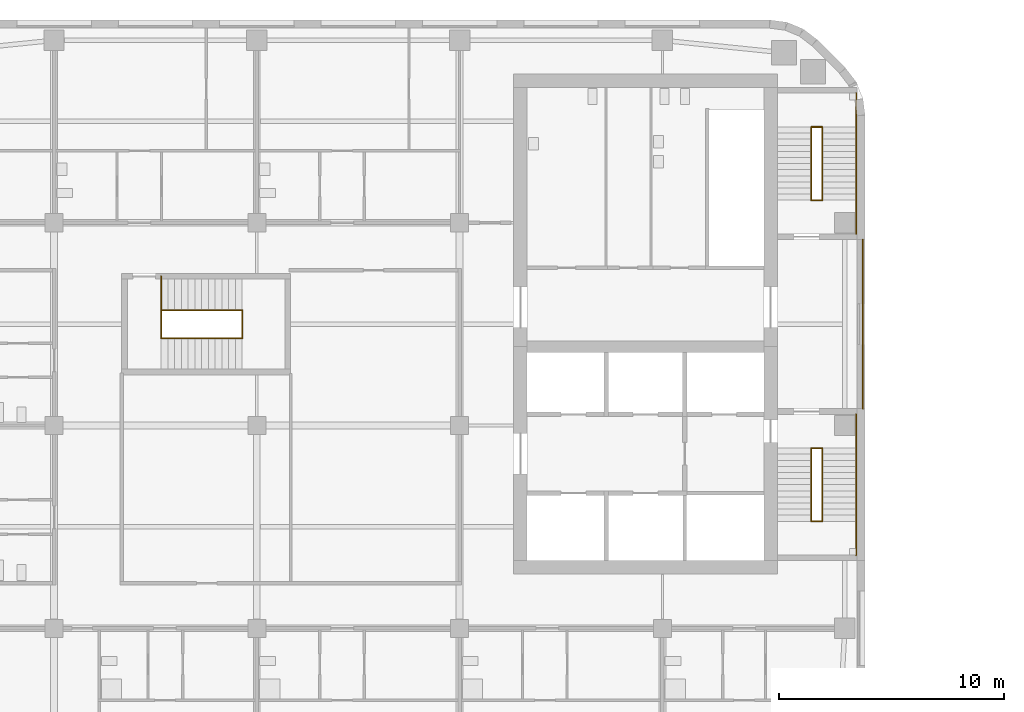
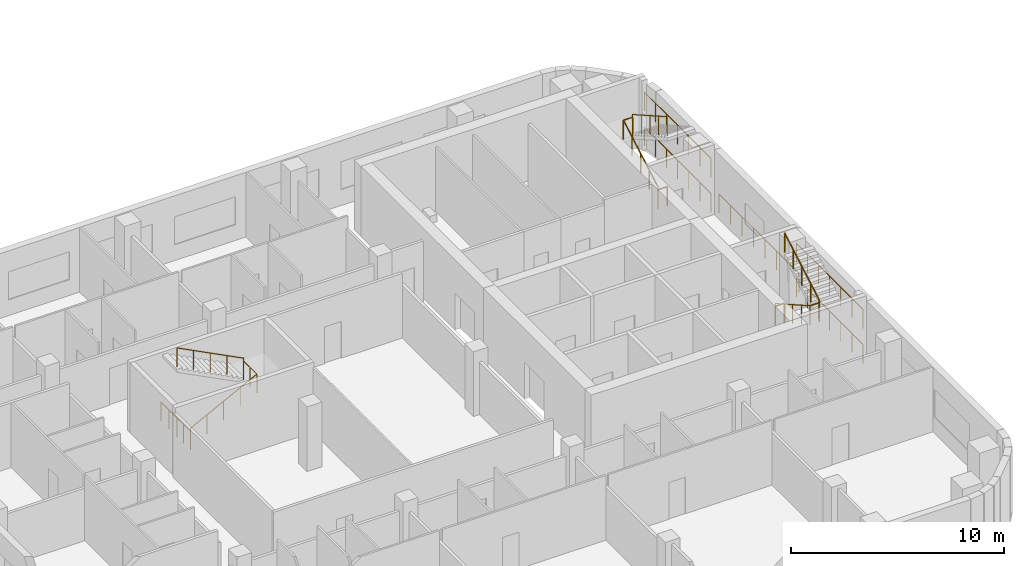
# One storey, part 14 of 16: 18 railings.
"""IFC4 building model written with IfcOpenShell, lengths in metres."""

from ifc_helpers import new_model, si_unit, direction, frame, origin, origin_2d, place, context, subcontext, project, spatial, circle, extrude, material, type_object, element, save


model = new_model("IFC4")

# Units and contexts
model_context = context("Model", 3, precision=1e-05, world=origin(), true_north=direction((0.0, 1.0)))
body_context = subcontext(model_context, "Body", "Model", "MODEL_VIEW")
ifc_project = project(units=[si_unit("LENGTHUNIT", "METRE"), si_unit("AREAUNIT", "SQUARE_METRE"), si_unit("VOLUMEUNIT", "CUBIC_METRE"), si_unit("PLANEANGLEUNIT", "RADIAN"), si_unit("MASSUNIT", "GRAM", prefix="KILO")], contexts=[model_context])

# Site, building, storey
site_placement = place(None, origin())
site = spatial("IfcSite", under=ifc_project, at=site_placement, CompositionType="ELEMENT")
building_placement = place(site_placement, origin())
building = spatial("IfcBuilding", under=site, at=building_placement, Name="Cinnabar Reach Civic Tower", CompositionType="ELEMENT")
storey_placement = place(building_placement, frame((0.0, 0.0, 42.0)))
storey = spatial("IfcBuildingStorey", under=building, at=storey_placement, Name="L09", CompositionType="ELEMENT", Elevation=42.0)

# Railings
ifc_material = material(Name="Stainless steel", Category="steel")
railing_type = type_object("IfcRailingType", Name="T2 Stair guard 1100", PredefinedType="GUARDRAIL", material=ifc_material)
railing_1_placement = place(storey_placement, frame((-27.1, 27.75, 0.0)))
element("IfcRailing", 1, at=railing_1_placement, inside=storey, type_object=railing_type, Name="Corridor end guard", PredefinedType="GUARDRAIL", context=body_context, shape_type="SweptSolid", body=[
    extrude(circle(Radius=0.024, at=origin_2d()), frame((0.0, 0.0, 1.076), z_axis=(0.0, 1.0, 0.0), x_axis=(-1.0, 0.0, 0.0)), (0.0, 0.0, 1.0), 7.5),
    extrude(circle(Radius=0.021, at=origin_2d()), origin(), (0.0, 0.0, 1.0), 1.052),
    extrude(circle(Radius=0.021, at=origin_2d()), frame((0.0, 1.0714, 0.0)), (0.0, 0.0, 1.0), 1.052),
    extrude(circle(Radius=0.021, at=origin_2d()), frame((0.0, 2.1429, 0.0)), (0.0, 0.0, 1.0), 1.052),
    extrude(circle(Radius=0.021, at=origin_2d()), frame((0.0, 3.2143, 0.0)), (0.0, 0.0, 1.0), 1.052),
    extrude(circle(Radius=0.021, at=origin_2d()), frame((0.0, 4.2857, 0.0)), (0.0, 0.0, 1.0), 1.052),
    extrude(circle(Radius=0.021, at=origin_2d()), frame((0.0, 5.3571, 0.0)), (0.0, 0.0, 1.0), 1.052),
    extrude(circle(Radius=0.021, at=origin_2d()), frame((0.0, 6.4286, 0.0)), (0.0, 0.0, 1.0), 1.052),
    extrude(circle(Radius=0.021, at=origin_2d()), frame((0.0, 7.5, 0.0)), (0.0, 0.0, 1.0), 1.052),
])
for number, where, name in (
    (2, (-27.4, 21.25, 0.0), "Stair guard 1"),
    (3, (-27.4, 21.25, 2.0), "Stair guard 1"),
):
    element("IfcRailing", number, at=place(storey_placement, frame(where)), inside=storey, type_object=railing_type, Name=name, PredefinedType="GUARDRAIL", context=body_context, shape_type="SweptSolid", body=[
        extrude(circle(Radius=0.024, at=origin_2d()), frame((0.0, 0.0, 1.076), z_axis=(0.0, 1.0, 0.0), x_axis=(-1.0, 0.0, 0.0)), (0.0, 0.0, 1.0), 6.25),
        extrude(circle(Radius=0.021, at=origin_2d()), origin(), (0.0, 0.0, 1.0), 1.052),
        extrude(circle(Radius=0.021, at=origin_2d()), frame((0.0, 1.0417, 0.0)), (0.0, 0.0, 1.0), 1.052),
        extrude(circle(Radius=0.021, at=origin_2d()), frame((0.0, 2.0833, 0.0)), (0.0, 0.0, 1.0), 1.052),
        extrude(circle(Radius=0.021, at=origin_2d()), frame((0.0, 3.125, 0.0)), (0.0, 0.0, 1.0), 1.052),
        extrude(circle(Radius=0.021, at=origin_2d()), frame((0.0, 4.1667, 0.0)), (0.0, 0.0, 1.0), 1.052),
        extrude(circle(Radius=0.021, at=origin_2d()), frame((0.0, 5.2083, 0.0)), (0.0, 0.0, 1.0), 1.052),
        extrude(circle(Radius=0.021, at=origin_2d()), frame((0.0, 6.25, 0.0)), (0.0, 0.0, 1.0), 1.052),
    ])
for number, where, name in (
    (4, (-29.4, 26.0, 0.0), "Stair guard 1"),
    (5, (-29.4, 22.75, 2.0), "Stair guard 1"),
):
    element("IfcRailing", number, at=place(storey_placement, frame(where)), inside=storey, type_object=railing_type, Name=name, PredefinedType="GUARDRAIL", context=body_context, shape_type="SweptSolid", body=[
        extrude(circle(Radius=0.024, at=origin_2d()), frame((0.0, 0.0, 1.076), z_axis=(1.0, 0.0, 0.0), x_axis=(0.0, 1.0, 0.0)), (0.0, 0.0, 1.0), 0.5),
        extrude(circle(Radius=0.021, at=origin_2d()), origin(), (0.0, 0.0, 1.0), 1.052),
        extrude(circle(Radius=0.021, at=origin_2d()), frame((0.5, 0.0, 0.0)), (0.0, 0.0, 1.0), 1.052),
    ])
railing_2_placement = place(storey_placement, frame((-29.4, 26.0, 0.1538)))
element("IfcRailing", 6, at=railing_2_placement, inside=storey, type_object=railing_type, Name="Stair guard 1", PredefinedType="GUARDRAIL", context=body_context, shape_type="SweptSolid", body=[
    extrude(circle(Radius=0.024, at=origin_2d()), frame((0.0, 0.0, 1.076), z_axis=(0.0, -0.869501474428, 0.493930345258), x_axis=(1.0, 0.0, 0.0)), (0.0, 0.0, 1.0), 3.7378),
    extrude(circle(Radius=0.021, at=origin_2d()), origin(), (0.0, 0.0, 1.0), 1.052),
    extrude(circle(Radius=0.021, at=origin_2d()), frame((0.0, -0.8125, 0.4616)), (0.0, 0.0, 1.0), 1.052),
    extrude(circle(Radius=0.021, at=origin_2d()), frame((0.0, -1.625, 0.9231)), (0.0, 0.0, 1.0), 1.052),
    extrude(circle(Radius=0.021, at=origin_2d()), frame((0.0, -2.4375, 1.3847)), (0.0, 0.0, 1.0), 1.052),
    extrude(circle(Radius=0.021, at=origin_2d()), frame((0.0, -3.25, 1.8462)), (0.0, 0.0, 1.0), 1.052),
])
railing_3_placement = place(storey_placement, frame((-28.9, 22.75, 2.1538)))
element("IfcRailing", 7, at=railing_3_placement, inside=storey, type_object=railing_type, Name="Stair guard 1", PredefinedType="GUARDRAIL", context=body_context, shape_type="SweptSolid", body=[
    extrude(circle(Radius=0.024, at=origin_2d()), frame((0.0, 0.0, 1.076), z_axis=(0.0, 0.869501474428, 0.493930345258), x_axis=(-1.0, 0.0, 0.0)), (0.0, 0.0, 1.0), 3.7378),
    extrude(circle(Radius=0.021, at=origin_2d()), origin(), (0.0, 0.0, 1.0), 1.052),
    extrude(circle(Radius=0.021, at=origin_2d()), frame((0.0, 0.8125, 0.4616)), (0.0, 0.0, 1.0), 1.052),
    extrude(circle(Radius=0.021, at=origin_2d()), frame((0.0, 1.625, 0.9231)), (0.0, 0.0, 1.0), 1.052),
    extrude(circle(Radius=0.021, at=origin_2d()), frame((0.0, 2.4375, 1.3847)), (0.0, 0.0, 1.0), 1.052),
    extrude(circle(Radius=0.021, at=origin_2d()), frame((0.0, 3.25, 1.8462)), (0.0, 0.0, 1.0), 1.052),
])
for number, where, name in (
    (8, (-27.4, 35.5, 0.0), "Stair guard 2"),
    (9, (-27.4, 35.5, 2.0), "Stair guard 2"),
):
    element("IfcRailing", number, at=place(storey_placement, frame(where)), inside=storey, type_object=railing_type, Name=name, PredefinedType="GUARDRAIL", context=body_context, shape_type="SweptSolid", body=[
        extrude(circle(Radius=0.024, at=origin_2d()), frame((0.0, 0.0, 1.076), z_axis=(0.0, 1.0, 0.0), x_axis=(-1.0, 0.0, 0.0)), (0.0, 0.0, 1.0), 6.25),
        extrude(circle(Radius=0.021, at=origin_2d()), origin(), (0.0, 0.0, 1.0), 1.052),
        extrude(circle(Radius=0.021, at=origin_2d()), frame((0.0, 1.0417, 0.0)), (0.0, 0.0, 1.0), 1.052),
        extrude(circle(Radius=0.021, at=origin_2d()), frame((0.0, 2.0833, 0.0)), (0.0, 0.0, 1.0), 1.052),
        extrude(circle(Radius=0.021, at=origin_2d()), frame((0.0, 3.125, 0.0)), (0.0, 0.0, 1.0), 1.052),
        extrude(circle(Radius=0.021, at=origin_2d()), frame((0.0, 4.1667, 0.0)), (0.0, 0.0, 1.0), 1.052),
        extrude(circle(Radius=0.021, at=origin_2d()), frame((0.0, 5.2083, 0.0)), (0.0, 0.0, 1.0), 1.052),
        extrude(circle(Radius=0.021, at=origin_2d()), frame((0.0, 6.25, 0.0)), (0.0, 0.0, 1.0), 1.052),
    ])
for number, where, name in (
    (10, (-29.4, 37.0, 0.0), "Stair guard 2"),
    (11, (-29.4, 40.25, 2.0), "Stair guard 2"),
):
    element("IfcRailing", number, at=place(storey_placement, frame(where)), inside=storey, type_object=railing_type, Name=name, PredefinedType="GUARDRAIL", context=body_context, shape_type="SweptSolid", body=[
        extrude(circle(Radius=0.024, at=origin_2d()), frame((0.0, 0.0, 1.076), z_axis=(1.0, 0.0, 0.0), x_axis=(0.0, 1.0, 0.0)), (0.0, 0.0, 1.0), 0.5),
        extrude(circle(Radius=0.021, at=origin_2d()), origin(), (0.0, 0.0, 1.0), 1.052),
        extrude(circle(Radius=0.021, at=origin_2d()), frame((0.5, 0.0, 0.0)), (0.0, 0.0, 1.0), 1.052),
    ])
railing_4_placement = place(storey_placement, frame((-29.4, 37.0, 0.1538)))
element("IfcRailing", 12, at=railing_4_placement, inside=storey, type_object=railing_type, Name="Stair guard 2", PredefinedType="GUARDRAIL", context=body_context, shape_type="SweptSolid", body=[
    extrude(circle(Radius=0.024, at=origin_2d()), frame((0.0, 0.0, 1.076), z_axis=(0.0, 0.869501474428, 0.493930345258), x_axis=(-1.0, 0.0, 0.0)), (0.0, 0.0, 1.0), 3.7378),
    extrude(circle(Radius=0.021, at=origin_2d()), origin(), (0.0, 0.0, 1.0), 1.052),
    extrude(circle(Radius=0.021, at=origin_2d()), frame((0.0, 0.8125, 0.4616)), (0.0, 0.0, 1.0), 1.052),
    extrude(circle(Radius=0.021, at=origin_2d()), frame((0.0, 1.625, 0.9231)), (0.0, 0.0, 1.0), 1.052),
    extrude(circle(Radius=0.021, at=origin_2d()), frame((0.0, 2.4375, 1.3847)), (0.0, 0.0, 1.0), 1.052),
    extrude(circle(Radius=0.021, at=origin_2d()), frame((0.0, 3.25, 1.8462)), (0.0, 0.0, 1.0), 1.052),
])
railing_5_placement = place(storey_placement, frame((-28.9, 40.25, 2.1538)))
element("IfcRailing", 13, at=railing_5_placement, inside=storey, type_object=railing_type, Name="Stair guard 2", PredefinedType="GUARDRAIL", context=body_context, shape_type="SweptSolid", body=[
    extrude(circle(Radius=0.024, at=origin_2d()), frame((0.0, 0.0, 1.076), z_axis=(0.0, -0.869501474428, 0.493930345258), x_axis=(1.0, 0.0, 0.0)), (0.0, 0.0, 1.0), 3.7378),
    extrude(circle(Radius=0.021, at=origin_2d()), origin(), (0.0, 0.0, 1.0), 1.052),
    extrude(circle(Radius=0.021, at=origin_2d()), frame((0.0, -0.8125, 0.4616)), (0.0, 0.0, 1.0), 1.052),
    extrude(circle(Radius=0.021, at=origin_2d()), frame((0.0, -1.625, 0.9231)), (0.0, 0.0, 1.0), 1.052),
    extrude(circle(Radius=0.021, at=origin_2d()), frame((0.0, -2.4375, 1.3847)), (0.0, 0.0, 1.0), 1.052),
    extrude(circle(Radius=0.021, at=origin_2d()), frame((0.0, -3.25, 1.8462)), (0.0, 0.0, 1.0), 1.052),
])
railing_6_placement = place(storey_placement, frame((-58.25, 30.875, 0.0)))
element("IfcRailing", 14, at=railing_6_placement, inside=storey, type_object=railing_type, Name="Stair guard 3", PredefinedType="GUARDRAIL", context=body_context, shape_type="SweptSolid", body=[
    extrude(circle(Radius=0.024, at=origin_2d()), frame((0.0, 0.0, 1.076), z_axis=(0.0, 1.0, 0.0), x_axis=(-1.0, 0.0, 0.0)), (0.0, 0.0, 1.0), 1.25),
    extrude(circle(Radius=0.021, at=origin_2d()), origin(), (0.0, 0.0, 1.0), 1.052),
    extrude(circle(Radius=0.021, at=origin_2d()), frame((0.0, 0.625, 0.0)), (0.0, 0.0, 1.0), 1.052),
    extrude(circle(Radius=0.021, at=origin_2d()), frame((0.0, 1.25, 0.0)), (0.0, 0.0, 1.0), 1.052),
])
railing_7_placement = place(storey_placement, frame((-58.25, 32.125, 0.0)))
element("IfcRailing", 15, at=railing_7_placement, inside=storey, type_object=railing_type, Name="Stair guard 3", PredefinedType="GUARDRAIL", context=body_context, shape_type="SweptSolid", body=[
    extrude(circle(Radius=0.024, at=origin_2d()), frame((0.0, 0.0, 1.076), z_axis=(0.0, 1.0, 0.0), x_axis=(-1.0, 0.0, 0.0)), (0.0, 0.0, 1.0), 1.5),
    extrude(circle(Radius=0.021, at=origin_2d()), origin(), (0.0, 0.0, 1.0), 1.052),
    extrude(circle(Radius=0.021, at=origin_2d()), frame((0.0, 0.75, 0.0)), (0.0, 0.0, 1.0), 1.052),
    extrude(circle(Radius=0.021, at=origin_2d()), frame((0.0, 1.5, 0.0)), (0.0, 0.0, 1.0), 1.052),
])
railing_8_placement = place(storey_placement, frame((-54.65, 30.875, 2.0)))
element("IfcRailing", 16, at=railing_8_placement, inside=storey, type_object=railing_type, Name="Stair guard 3", PredefinedType="GUARDRAIL", context=body_context, shape_type="SweptSolid", body=[
    extrude(circle(Radius=0.024, at=origin_2d()), frame((0.0, 0.0, 1.076), z_axis=(0.0, 1.0, 0.0), x_axis=(-1.0, 0.0, 0.0)), (0.0, 0.0, 1.0), 1.25),
    extrude(circle(Radius=0.021, at=origin_2d()), origin(), (0.0, 0.0, 1.0), 1.052),
    extrude(circle(Radius=0.021, at=origin_2d()), frame((0.0, 0.625, 0.0)), (0.0, 0.0, 1.0), 1.052),
    extrude(circle(Radius=0.021, at=origin_2d()), frame((0.0, 1.25, 0.0)), (0.0, 0.0, 1.0), 1.052),
])
railing_9_placement = place(storey_placement, frame((-58.25, 30.875, 0.1538)))
element("IfcRailing", 17, at=railing_9_placement, inside=storey, type_object=railing_type, Name="Stair guard 3", PredefinedType="GUARDRAIL", context=body_context, shape_type="SweptSolid", body=[
    extrude(circle(Radius=0.024, at=origin_2d()), frame((0.0, 0.0, 1.076), z_axis=(0.889812830738, 0.0, 0.45632568003), x_axis=(0.0, 1.0, 0.0)), (0.0, 0.0, 1.0), 4.0458),
    extrude(circle(Radius=0.021, at=origin_2d()), origin(), (0.0, 0.0, 1.0), 1.052),
    extrude(circle(Radius=0.021, at=origin_2d()), frame((0.9, 0.0, 0.4616)), (0.0, 0.0, 1.0), 1.052),
    extrude(circle(Radius=0.021, at=origin_2d()), frame((1.8, 0.0, 0.9231)), (0.0, 0.0, 1.0), 1.052),
    extrude(circle(Radius=0.021, at=origin_2d()), frame((2.7, 0.0, 1.3847)), (0.0, 0.0, 1.0), 1.052),
    extrude(circle(Radius=0.021, at=origin_2d()), frame((3.6, 0.0, 1.8462)), (0.0, 0.0, 1.0), 1.052),
])
railing_10_placement = place(storey_placement, frame((-54.65, 32.125, 2.1538)))
element("IfcRailing", 18, at=railing_10_placement, inside=storey, type_object=railing_type, Name="Stair guard 3", PredefinedType="GUARDRAIL", context=body_context, shape_type="SweptSolid", body=[
    extrude(circle(Radius=0.024, at=origin_2d()), frame((0.0, 0.0, 1.076), z_axis=(-0.889812830738, 0.0, 0.45632568003), x_axis=(0.0, -1.0, 0.0)), (0.0, 0.0, 1.0), 4.0458),
    extrude(circle(Radius=0.021, at=origin_2d()), origin(), (0.0, 0.0, 1.0), 1.052),
    extrude(circle(Radius=0.021, at=origin_2d()), frame((-0.9, 0.0, 0.4616)), (0.0, 0.0, 1.0), 1.052),
    extrude(circle(Radius=0.021, at=origin_2d()), frame((-1.8, 0.0, 0.9231)), (0.0, 0.0, 1.0), 1.052),
    extrude(circle(Radius=0.021, at=origin_2d()), frame((-2.7, 0.0, 1.3847)), (0.0, 0.0, 1.0), 1.052),
    extrude(circle(Radius=0.021, at=origin_2d()), frame((-3.6, 0.0, 1.8462)), (0.0, 0.0, 1.0), 1.052),
])

save(model, "model.ifc")
